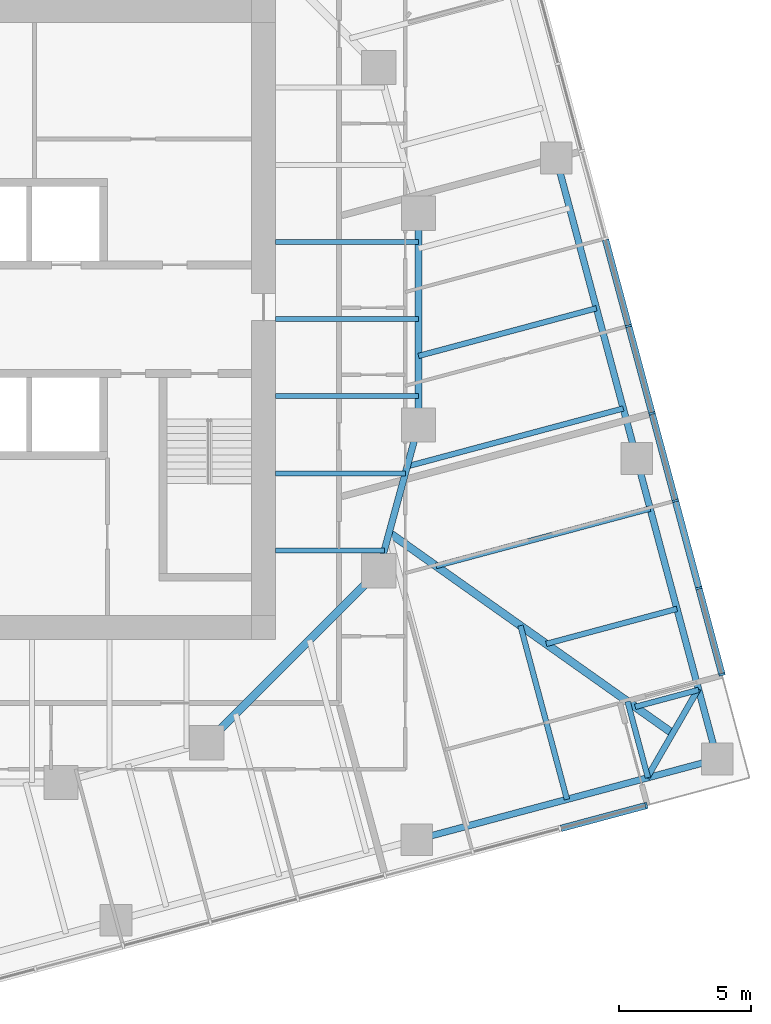
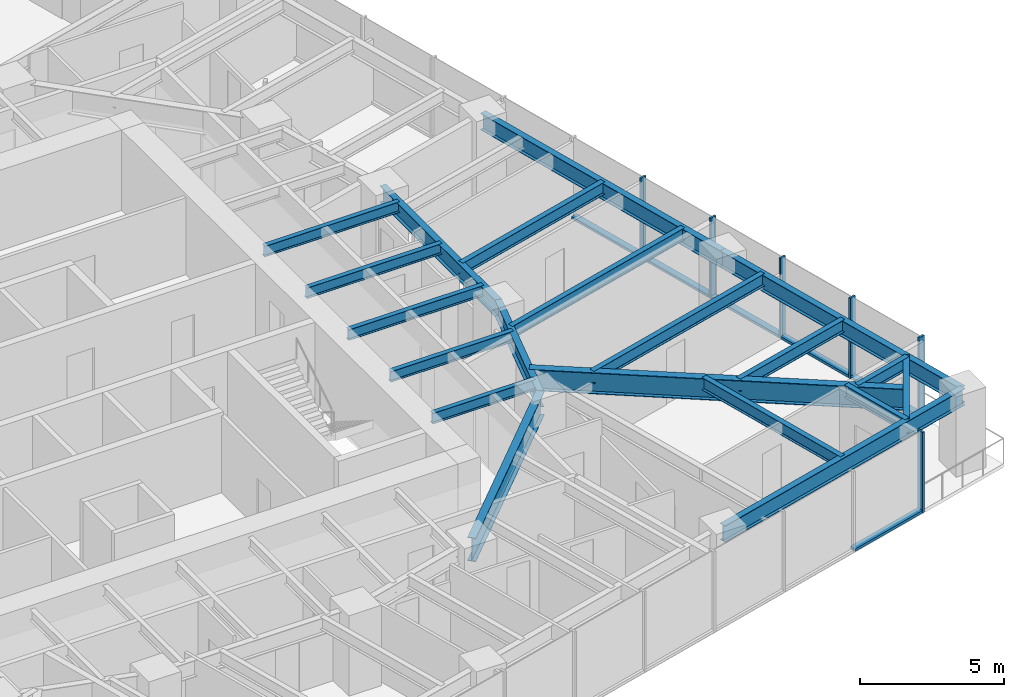
# One storey, part 4 of 13: 20 beams, 12 members, 2 elements without a shape of their own.
"""IFC4 building model written with IfcOpenShell, lengths in metres."""

from ifc_helpers import new_model, si_unit, direction, frame, origin, origin_2d, place, context, subcontext, project, spatial, rectangle, i_section, extrude, material, material_profile, profile_set, type_object, element, aggregate, save


model = new_model("IFC4")

# Units and contexts
model_context = context("Model", 3, precision=1e-05, world=origin(), true_north=direction((0.0, 1.0)))
body_context = subcontext(model_context, "Body", "Model", "MODEL_VIEW")
ifc_project = project(units=[si_unit("LENGTHUNIT", "METRE"), si_unit("AREAUNIT", "SQUARE_METRE"), si_unit("VOLUMEUNIT", "CUBIC_METRE"), si_unit("PLANEANGLEUNIT", "RADIAN"), si_unit("MASSUNIT", "GRAM", prefix="KILO")], contexts=[model_context])

# Site, building, storey
site_placement = place(None, origin())
site = spatial("IfcSite", under=ifc_project, at=site_placement, CompositionType="ELEMENT")
building_placement = place(site_placement, origin())
building = spatial("IfcBuilding", under=site, at=building_placement, Name="Torsade Residences", CompositionType="ELEMENT")
storey_placement = place(building_placement, frame((0.0, 0.0, 115.0)))
storey = spatial("IfcBuildingStorey", under=building, at=storey_placement, Name="L31", CompositionType="ELEMENT", Elevation=115.0)

# Beams
ifc_material_1 = material(Name="Steel grade 300", Category="steel")
ifc_material_profile_1 = material_profile(ifc_material_1, i_section(OverallWidth=0.300048828125, OverallDepth=0.89990234375, WebThickness=0.011962890625, FlangeThickness=0.02490234375, at=origin_2d()), Name="900WB175")
ifc_profile_set_1 = profile_set([ifc_material_profile_1], Name="Steel grade 300")
beam_type_1 = type_object("IfcBeamType", Name="CORNER GIRDER 900WB175", PredefinedType="BEAM", material=ifc_profile_set_1)
beam_1_placement = place(storey_placement, frame((67.097412109375, 14.355224609375, 2.800048828125), z_axis=(-0.816261084801, 0.577683167004, 0.0), x_axis=(-0.577683167004, -0.816261084801, 0.0)))
element("IfcBeam", 1, at=beam_1_placement, inside=storey, type_object=beam_type_1, Name="Corner girder 05 L32", PredefinedType="BEAM", context=body_context, shape_type="SweptSolid", body=[
    extrude(i_section(OverallWidth=0.300048828125, OverallDepth=0.89990234375, WebThickness=0.011962890625, FlangeThickness=0.02490234375, at=origin_2d()), origin(), (0.0, 0.0, 1.0), 13.116943359375),
])
ifc_material_2 = material(Name="Steel grade 300", Category="steel")
ifc_material_profile_2 = material_profile(ifc_material_2, i_section(OverallWidth=0.22802734375, OverallDepth=0.60205078125, WebThickness=0.010498046875, FlangeThickness=0.014892578125, FilletRadius=0.013916015625, at=origin_2d()), Name="610UB101")
ifc_profile_set_2 = profile_set([ifc_material_profile_2], Name="Steel grade 300")
beam_type_2 = type_object("IfcBeamType", Name="CORNER TRIMMER 610UB101", PredefinedType="BEAM", material=ifc_profile_set_2)
beam_2_placement = place(storey_placement, frame((68.06982421875, 16.039306640625, 2.948974609375), z_axis=(-0.499994147244, -0.866028782848, 0.0), x_axis=(0.866028782848, -0.499994147244, 0.0)))
element("IfcBeam", 2, at=beam_2_placement, inside=storey, type_object=beam_type_2, Name="Corner trimmer 05 L32", PredefinedType="BEAM", context=body_context, shape_type="SweptSolid", body=[
    extrude(i_section(OverallWidth=0.22802734375, OverallDepth=0.60205078125, WebThickness=0.010498046875, FlangeThickness=0.014892578125, FilletRadius=0.013916015625, at=origin_2d()), origin(), (0.0, 0.0, 1.0), 3.88916015625),
])
ifc_material_3 = material(Name="Steel grade 300", Category="steel")
ifc_material_profile_3 = material_profile(ifc_material_3, i_section(OverallWidth=0.25, OverallDepth=0.699951171875, WebThickness=0.010009765625, FlangeThickness=0.02001953125, at=origin_2d()), Name="700WB130")
ifc_profile_set_3 = profile_set([ifc_material_profile_3], Name="Steel grade 300")
beam_type_3 = type_object("IfcBeamType", Name="EDGE BEAM 700WB130", PredefinedType="SPANDREL", material=ifc_profile_set_3)
for number, where, z_axis, x_axis, name in (
    (3, (57.431884765625, 10.341796875, 2.89990234375), (0.965922824118, 0.258830249097, 0.0), (-0.258830249097, 0.965922824118, 0.0), "Edge beam 04 L32"),
    (4, (68.781494140625, 13.383056640625, 2.89990234375), (-0.258810863021, 0.965928018634, 0.0), (-0.965928018634, -0.258810863021, 0.0), "Edge beam 05 L32"),
    (5, (65.740478515625, 24.732666015625, 2.89990234375), (-0.258830249097, 0.965922824118, 0.0), (-0.965922824118, -0.258830249097, 0.0), "Edge beam 06 L32"),
):
    element("IfcBeam", number, at=place(storey_placement, frame(where, z_axis=z_axis, x_axis=x_axis)), inside=storey, type_object=beam_type_3, Name=name, PredefinedType="SPANDREL", context=body_context, shape_type="SweptSolid", body=[
        extrude(i_section(OverallWidth=0.25, OverallDepth=0.699951171875, WebThickness=0.010009765625, FlangeThickness=0.02001953125, at=origin_2d()), origin(), (0.0, 0.0, 1.0), 11.75),
    ])
ifc_material_4 = material(Name="Steel grade 300", Category="steel")
ifc_material_profile_4 = material_profile(ifc_material_4, i_section(OverallWidth=0.18994140625, OverallDepth=0.4541015625, WebThickness=0.008544921875, FlangeThickness=0.0126953125, FilletRadius=0.011474609375, at=origin_2d()), Name="460UB67.1")
ifc_profile_set_4 = profile_set([ifc_material_profile_4], Name="Steel grade 300")
beam_type_4 = type_object("IfcBeamType", Name="INNER FLOOR BEAM 460UB67.1", PredefinedType="JOIST", material=ifc_profile_set_4)
beam_3_placement = place(storey_placement, frame((52.10009765625, 21.262451171875, 3.02294921875), z_axis=(1.0, 0.0, 0.0), x_axis=(0.0, 1.0, 0.0)))
element("IfcBeam", 6, at=beam_3_placement, inside=storey, type_object=beam_type_4, Name="Inner floor beam IE01 L32", PredefinedType="JOIST", context=body_context, shape_type="SweptSolid", body=[
    extrude(i_section(OverallWidth=0.18994140625, OverallDepth=0.4541015625, WebThickness=0.008544921875, FlangeThickness=0.0126953125, FilletRadius=0.011474609375, at=origin_2d()), origin(), (0.0, 0.0, 1.0), 4.10791015625),
])
beam_4_placement = place(storey_placement, frame((52.10009765625, 24.175048828125, 3.02294921875), z_axis=(1.0, 0.0, 0.0), x_axis=(0.0, 1.0, 0.0)))
element("IfcBeam", 7, at=beam_4_placement, inside=storey, type_object=beam_type_4, Name="Inner floor beam IE02 L32", PredefinedType="JOIST", context=body_context, shape_type="SweptSolid", body=[
    extrude(i_section(OverallWidth=0.18994140625, OverallDepth=0.4541015625, WebThickness=0.008544921875, FlangeThickness=0.0126953125, FilletRadius=0.011474609375, at=origin_2d()), origin(), (0.0, 0.0, 1.0), 4.902099609375),
])
for number, where, z_axis, x_axis, name in (
    (8, (52.10009765625, 27.08740234375, 3.02294921875), (1.0, 0.0, 0.0), (0.0, 1.0, 0.0), "Inner floor beam IE03 L32"),
    (9, (52.10009765625, 30.0, 3.02294921875), (1.0, 0.0, 0.0), (0.0, 1.0, 0.0), "Inner floor beam IE04 L32"),
    (10, (52.10009765625, 32.91259765625, 3.02294921875), (1.0, 0.0, 0.0), (0.0, 1.0, 0.0), "Inner floor beam IE05 L32"),
):
    element("IfcBeam", number, at=place(storey_placement, frame(where, z_axis=z_axis, x_axis=x_axis)), inside=storey, type_object=beam_type_4, Name=name, PredefinedType="JOIST", context=body_context, shape_type="SweptSolid", body=[
        extrude(i_section(OverallWidth=0.18994140625, OverallDepth=0.4541015625, WebThickness=0.008544921875, FlangeThickness=0.0126953125, FilletRadius=0.011474609375, at=origin_2d()), origin(), (0.0, 0.0, 1.0), 5.39990234375),
    ])

# Curtain wall, member
ifc_material_5 = material(Name="Aluminium and glass", Category="aluminium")
curtain_wall_type = type_object("IfcCurtainWallType", Name="FRITTED GLASS CURTAIN WALL MID ZONE", PredefinedType="NOTDEFINED", material=ifc_material_5)
curtain_wall_1_placement = place(storey_placement, origin())
curtain_wall_1 = element("IfcCurtainWall", 11, at=curtain_wall_1_placement, inside=storey, type_object=curtain_wall_type, Name="Curtain wall L31 face 1", PredefinedType="NOTDEFINED")
ifc_material_6 = material(Name="Aluminium mullion", Category="aluminium")
ifc_material_profile_5 = material_profile(ifc_material_6, rectangle(XDim=0.25, YDim=0.080078125, at=origin_2d()), Name="MID ZONE CURTAIN WALL MULLION 250x80")
ifc_profile_set_5 = profile_set([ifc_material_profile_5], Name="Aluminium mullion")
member_type_1 = type_object("IfcMemberType", Name="MID ZONE CURTAIN WALL MULLION 250x80", PredefinedType="MULLION", material=ifc_profile_set_5)
member_1_placement = place(storey_placement, frame((66.10400390625, 11.63037109375, 0.0), z_axis=(0.0, 0.0, 1.0), x_axis=(-0.258819047783, 0.965925825571, 0.0)))
member_1 = element("IfcMember", 12, at=member_1_placement, type_object=member_type_1, Name="Mullion 13", PredefinedType="MULLION", context=body_context, shape_type="SweptSolid", body=[
    extrude(rectangle(XDim=0.25, YDim=0.080078125, at=origin_2d()), origin(), (0.0, 0.0, 1.0), 3.39990234375),
])

# Curtain wall, members
curtain_wall_2_placement = place(storey_placement, origin())
curtain_wall_2 = element("IfcCurtainWall", 13, at=curtain_wall_2_placement, inside=storey, type_object=curtain_wall_type, Name="Curtain wall L31 face 4", PredefinedType="NOTDEFINED")
member_2_placement = place(storey_placement, frame((68.960693359375, 16.578125, 0.0), z_axis=(0.0, 0.0, 1.0), x_axis=(-0.965925825571, -0.258819047783, 0.0)))
member_2 = element("IfcMember", 14, at=member_2_placement, type_object=member_type_1, Name="Mullion 1", PredefinedType="MULLION", context=body_context, shape_type="SweptSolid", body=[
    extrude(rectangle(XDim=0.25, YDim=0.080078125, at=origin_2d()), origin(), (0.0, 0.0, 1.0), 3.39990234375),
])
member_3_placement = place(storey_placement, frame((68.086669921875, 19.83984375, 0.0), z_axis=(0.0, 0.0, 1.0), x_axis=(-0.965925825571, -0.258819047783, 0.0)))
member_3 = element("IfcMember", 15, at=member_3_placement, type_object=member_type_1, Name="Mullion 2", PredefinedType="MULLION", context=body_context, shape_type="SweptSolid", body=[
    extrude(rectangle(XDim=0.25, YDim=0.080078125, at=origin_2d()), origin(), (0.0, 0.0, 1.0), 3.39990234375),
])
member_4_placement = place(storey_placement, frame((67.202392578125, 23.14013671875, 0.0), z_axis=(0.0, 0.0, 1.0), x_axis=(-0.965925825571, -0.258819047783, 0.0)))
member_4 = element("IfcMember", 16, at=member_4_placement, type_object=member_type_1, Name="Mullion 3", PredefinedType="MULLION", context=body_context, shape_type="SweptSolid", body=[
    extrude(rectangle(XDim=0.25, YDim=0.080078125, at=origin_2d()), origin(), (0.0, 0.0, 1.0), 3.39990234375),
])
member_5_placement = place(storey_placement, frame((66.318115234375, 26.4404296875, 0.0), z_axis=(0.0, 0.0, 1.0), x_axis=(-0.965925825571, -0.258819047783, 0.0)))
member_5 = element("IfcMember", 17, at=member_5_placement, type_object=member_type_1, Name="Mullion 4", PredefinedType="MULLION", context=body_context, shape_type="SweptSolid", body=[
    extrude(rectangle(XDim=0.25, YDim=0.080078125, at=origin_2d()), origin(), (0.0, 0.0, 1.0), 3.39990234375),
])
member_6_placement = place(storey_placement, frame((65.433837890625, 29.740478515625, 0.0), z_axis=(0.0, 0.0, 1.0), x_axis=(-0.965925825571, -0.258819047783, 0.0)))
member_6 = element("IfcMember", 18, at=member_6_placement, type_object=member_type_1, Name="Mullion 5", PredefinedType="MULLION", context=body_context, shape_type="SweptSolid", body=[
    extrude(rectangle(XDim=0.25, YDim=0.080078125, at=origin_2d()), origin(), (0.0, 0.0, 1.0), 3.39990234375),
])

# Member
ifc_material_7 = material(Name="Aluminium transom", Category="aluminium")
ifc_material_profile_6 = material_profile(ifc_material_7, rectangle(XDim=0.25, YDim=0.110107421875, at=origin_2d()), Name="MID ZONE CURTAIN WALL TRANSOM 250x110")
ifc_profile_set_6 = profile_set([ifc_material_profile_6], Name="Aluminium transom")
member_type_2 = type_object("IfcMemberType", Name="MID ZONE CURTAIN WALL TRANSOM 250x110", PredefinedType="USERDEFINED", material=ifc_profile_set_6)
member_7_placement = place(storey_placement, frame((62.880859375, 10.7666015625, 0.054931640625), z_axis=(0.965923258633, 0.258828627534, 0.0), x_axis=(-0.258828627534, 0.965923258633, 0.0)))
member_7 = element("IfcMember", 19, at=member_7_placement, type_object=member_type_2, Name="Transom 12.1", ObjectType="TRANSOM", PredefinedType="USERDEFINED", context=body_context, shape_type="SweptSolid", body=[
    extrude(rectangle(XDim=0.25, YDim=0.110107421875, at=origin_2d()), origin(), (0.0, 0.0, 1.0), 3.296630859375),
])

aggregate(curtain_wall_1, [member_1, member_7])

member_8_placement = place(storey_placement, frame((68.9501953125, 16.616943359375, 0.054931640625), z_axis=(-0.258828627534, 0.965923258633, 0.0), x_axis=(-0.965923258633, -0.258828627534, 0.0)))
member_8 = element("IfcMember", 20, at=member_8_placement, type_object=member_type_2, Name="Transom 1.1", ObjectType="TRANSOM", PredefinedType="USERDEFINED", context=body_context, shape_type="SweptSolid", body=[
    extrude(rectangle(XDim=0.25, YDim=0.110107421875, at=origin_2d()), origin(), (0.0, 0.0, 1.0), 3.296630859375),
])

member_9_placement = place(storey_placement, frame((68.076416015625, 19.87841796875, 0.054931640625), z_axis=(-0.258855549498, 0.965916044226, 0.0), x_axis=(-0.965916044226, -0.258855549498, 0.0)))
member_9 = element("IfcMember", 21, at=member_9_placement, type_object=member_type_2, Name="Transom 2.1", ObjectType="TRANSOM", PredefinedType="USERDEFINED", context=body_context, shape_type="SweptSolid", body=[
    extrude(rectangle(XDim=0.25, YDim=0.110107421875, at=origin_2d()), origin(), (0.0, 0.0, 1.0), 3.3369140625),
])

member_10_placement = place(storey_placement, frame((67.192138671875, 23.1787109375, 0.054931640625), z_axis=(-0.258873844232, 0.96591114124, 0.0), x_axis=(-0.96591114124, -0.258873844232, 0.0)))
member_10 = element("IfcMember", 22, at=member_10_placement, type_object=member_type_2, Name="Transom 3.1", ObjectType="TRANSOM", PredefinedType="USERDEFINED", context=body_context, shape_type="SweptSolid", body=[
    extrude(rectangle(XDim=0.25, YDim=0.110107421875, at=origin_2d()), origin(), (0.0, 0.0, 1.0), 3.336669921875),
])

member_11_placement = place(storey_placement, frame((66.3076171875, 26.47900390625, 0.054931640625), z_axis=(-0.258805576255, 0.965929435155, 0.0), x_axis=(-0.965929435155, -0.258805576255, 0.0)))
member_11 = element("IfcMember", 23, at=member_11_placement, type_object=member_type_2, Name="Transom 4.1", ObjectType="TRANSOM", PredefinedType="USERDEFINED", context=body_context, shape_type="SweptSolid", body=[
    extrude(rectangle(XDim=0.25, YDim=0.110107421875, at=origin_2d()), origin(), (0.0, 0.0, 1.0), 3.336669921875),
])

member_12_placement = place(storey_placement, frame((65.42333984375, 29.779296875, 0.054931640625), z_axis=(-0.258805576255, 0.965929435155, 0.0), x_axis=(-0.965929435155, -0.258805576255, 0.0)))
member_12 = element("IfcMember", 24, at=member_12_placement, type_object=member_type_2, Name="Transom 5.1", ObjectType="TRANSOM", PredefinedType="USERDEFINED", context=body_context, shape_type="SweptSolid", body=[
    extrude(rectangle(XDim=0.25, YDim=0.110107421875, at=origin_2d()), origin(), (0.0, 0.0, 1.0), 3.336669921875),
])

aggregate(curtain_wall_2, [member_2, member_3, member_4, member_5, member_6, member_8, member_9, member_10, member_11, member_12])

# Beams
ifc_material_8 = material(Name="Steel grade 300", Category="steel")
ifc_material_profile_7 = material_profile(ifc_material_8, i_section(OverallWidth=0.300048828125, OverallDepth=1.0, WebThickness=0.01611328125, FlangeThickness=0.028076171875, at=origin_2d()), Name="1000WB215")
ifc_profile_set_7 = profile_set([ifc_material_profile_7], Name="Steel grade 300")
beam_type_5 = type_object("IfcBeamType", Name="RING CORNER GIRDER 1000WB215", PredefinedType="BEAM", material=ifc_profile_set_7)
beam_5_placement = place(storey_placement, frame((49.5, 14.0, 2.75), z_axis=(0.707106781187, 0.707106781187, 0.0), x_axis=(-0.707106781187, 0.707106781187, 0.0)))
element("IfcBeam", 25, at=beam_5_placement, inside=storey, type_object=beam_type_5, Name="Ring girder IR15 L32", PredefinedType="BEAM", context=body_context, shape_type="SweptSolid", body=[
    extrude(i_section(OverallWidth=0.300048828125, OverallDepth=1.0, WebThickness=0.01611328125, FlangeThickness=0.028076171875, at=origin_2d()), origin(), (0.0, 0.0, 1.0), 9.1923828125),
])
ifc_material_9 = material(Name="Steel grade 300", Category="steel")
ifc_material_profile_8 = material_profile(ifc_material_9, i_section(OverallWidth=0.25, OverallDepth=0.699951171875, WebThickness=0.010009765625, FlangeThickness=0.02001953125, at=origin_2d()), Name="700WB130")
ifc_profile_set_8 = profile_set([ifc_material_profile_8], Name="Steel grade 300")
beam_type_6 = type_object("IfcBeamType", Name="RING GIRDER 700WB130", PredefinedType="BEAM", material=ifc_profile_set_8)
beam_6_placement = place(storey_placement, frame((57.5, 26.0, 2.89990234375), z_axis=(0.0, 1.0, 0.0), x_axis=(-1.0, 0.0, 0.0)))
element("IfcBeam", 26, at=beam_6_placement, inside=storey, type_object=beam_type_6, Name="Ring girder IR01 L32", PredefinedType="BEAM", context=body_context, shape_type="SweptSolid", body=[
    extrude(i_section(OverallWidth=0.25, OverallDepth=0.699951171875, WebThickness=0.010009765625, FlangeThickness=0.02001953125, at=origin_2d()), origin(), (0.0, 0.0, 1.0), 8.0),
])
beam_7_placement = place(storey_placement, frame((56.0, 20.5, 2.89990234375), z_axis=(0.263117405792, 0.964763821238, 0.0), x_axis=(-0.964763821238, 0.263117405792, 0.0)))
element("IfcBeam", 27, at=beam_7_placement, inside=storey, type_object=beam_type_6, Name="Ring girder IR16 L32", PredefinedType="BEAM", context=body_context, shape_type="SweptSolid", body=[
    extrude(i_section(OverallWidth=0.25, OverallDepth=0.699951171875, WebThickness=0.010009765625, FlangeThickness=0.02001953125, at=origin_2d()), origin(), (0.0, 0.0, 1.0), 5.700927734375),
])
ifc_material_10 = material(Name="Steel grade 300", Category="steel")
ifc_material_profile_9 = material_profile(ifc_material_10, i_section(OverallWidth=0.208984375, OverallDepth=0.528076171875, WebThickness=0.009521484375, FlangeThickness=0.01318359375, FilletRadius=0.013916015625, at=origin_2d()), Name="530UB82.0")
ifc_profile_set_9 = profile_set([ifc_material_profile_9], Name="Steel grade 300")
beam_type_7 = type_object("IfcBeamType", Name="SECONDARY BEAM 530UB82.0", PredefinedType="JOIST", material=ifc_profile_set_9)
beam_8_placement = place(storey_placement, frame((63.106689453125, 11.862548828125, 2.986083984375), z_axis=(-0.258814533235, 0.965927035229, 0.0), x_axis=(-0.965927035229, -0.258814533235, 0.0)))
element("IfcBeam", 28, at=beam_8_placement, inside=storey, type_object=beam_type_7, Name="Floor beam FS11 L32", PredefinedType="JOIST", context=body_context, shape_type="SweptSolid", body=[
    extrude(i_section(OverallWidth=0.208984375, OverallDepth=0.528076171875, WebThickness=0.009521484375, FlangeThickness=0.01318359375, FilletRadius=0.013916015625, at=origin_2d()), origin(), (0.0, 0.0, 1.0), 6.792724609375),
])
beam_9_placement = place(storey_placement, frame((66.16552734375, 12.68212890625, 2.986083984375), z_axis=(-0.258865750242, 0.965913310475, 0.0), x_axis=(-0.965913310475, -0.258865750242, 0.0)))
element("IfcBeam", 29, at=beam_9_placement, inside=storey, type_object=beam_type_7, Name="Floor beam FS12 L32", PredefinedType="JOIST", context=body_context, shape_type="SweptSolid", body=[
    extrude(i_section(OverallWidth=0.208984375, OverallDepth=0.528076171875, WebThickness=0.009521484375, FlangeThickness=0.01318359375, FilletRadius=0.013916015625, at=origin_2d()), origin(), (0.0, 0.0, 1.0), 2.980224609375),
])
beam_10_placement = place(storey_placement, frame((68.08056640625, 15.9990234375, 2.986083984375), z_axis=(-0.965920834438, -0.258837674225, 0.0), x_axis=(0.258837674225, -0.965920834438, 0.0)))
element("IfcBeam", 30, at=beam_10_placement, inside=storey, type_object=beam_type_7, Name="Floor beam FE01 L32", PredefinedType="JOIST", context=body_context, shape_type="SweptSolid", body=[
    extrude(i_section(OverallWidth=0.208984375, OverallDepth=0.528076171875, WebThickness=0.009521484375, FlangeThickness=0.01318359375, FilletRadius=0.013916015625, at=origin_2d()), origin(), (0.0, 0.0, 1.0), 2.482666015625),
])
beam_11_placement = place(storey_placement, frame((67.260986328125, 19.057861328125, 2.986083984375), z_axis=(-0.965926736728, -0.258815647274, 0.0), x_axis=(0.258815647274, -0.965926736728, 0.0)))
element("IfcBeam", 31, at=beam_11_placement, inside=storey, type_object=beam_type_7, Name="Floor beam FE02 L32", PredefinedType="JOIST", context=body_context, shape_type="SweptSolid", body=[
    extrude(i_section(OverallWidth=0.208984375, OverallDepth=0.528076171875, WebThickness=0.009521484375, FlangeThickness=0.01318359375, FilletRadius=0.013916015625, at=origin_2d()), origin(), (0.0, 0.0, 1.0), 5.11279296875),
])
beam_12_placement = place(storey_placement, frame((66.247314453125, 22.841064453125, 2.986083984375), z_axis=(-0.965924734258, -0.258823120582, 0.0), x_axis=(0.258823120582, -0.965924734258, 0.0)))
element("IfcBeam", 32, at=beam_12_placement, inside=storey, type_object=beam_type_7, Name="Floor beam FE03 L32", PredefinedType="JOIST", context=body_context, shape_type="SweptSolid", body=[
    extrude(i_section(OverallWidth=0.208984375, OverallDepth=0.528076171875, WebThickness=0.009521484375, FlangeThickness=0.01318359375, FilletRadius=0.013916015625, at=origin_2d()), origin(), (0.0, 0.0, 1.0), 8.365966796875),
])
beam_13_placement = place(storey_placement, frame((65.233642578125, 26.624267578125, 2.986083984375), z_axis=(-0.965928701223, -0.258808315464, 0.0), x_axis=(0.258808315464, -0.965928701223, 0.0)))
element("IfcBeam", 33, at=beam_13_placement, inside=storey, type_object=beam_type_7, Name="Floor beam FE04 L32", PredefinedType="JOIST", context=body_context, shape_type="SweptSolid", body=[
    extrude(i_section(OverallWidth=0.208984375, OverallDepth=0.528076171875, WebThickness=0.009521484375, FlangeThickness=0.01318359375, FilletRadius=0.013916015625, at=origin_2d()), origin(), (0.0, 0.0, 1.0), 8.447509765625),
])
beam_14_placement = place(storey_placement, frame((64.2197265625, 30.407470703125, 2.986083984375), z_axis=(-0.965926120836, -0.258817945835, 0.0), x_axis=(0.258817945835, -0.965926120836, 0.0)))
element("IfcBeam", 34, at=beam_14_placement, inside=storey, type_object=beam_type_7, Name="Floor beam FE05 L32", PredefinedType="JOIST", context=body_context, shape_type="SweptSolid", body=[
    extrude(i_section(OverallWidth=0.208984375, OverallDepth=0.528076171875, WebThickness=0.009521484375, FlangeThickness=0.01318359375, FilletRadius=0.013916015625, at=origin_2d()), origin(), (0.0, 0.0, 1.0), 6.956787109375),
])

save(model, "model.ifc")
